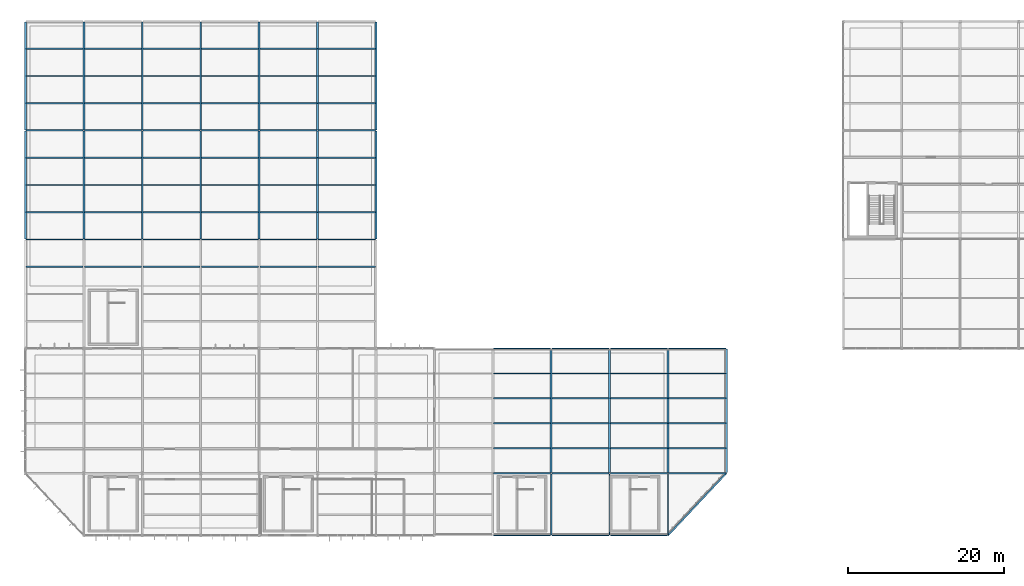
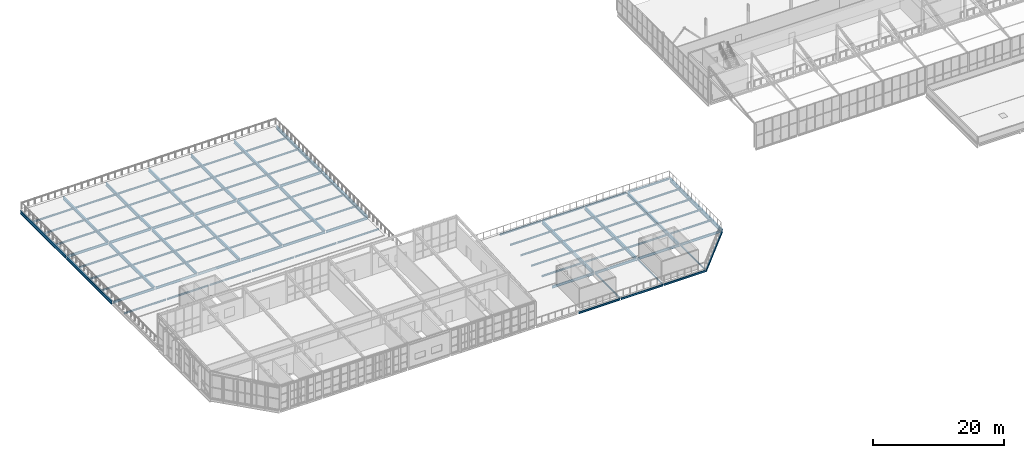
# One storey, part 30 of 104: 103 beams.
"""IFC4 building model written with IfcOpenShell, lengths in metres."""

from ifc_helpers import new_model, si_unit, direction, frame, origin, origin_2d, place, context, subcontext, project, spatial, i_section, extrude, material, material_profile, profile_set, type_object, element, save


model = new_model("IFC4")

# Units and contexts
model_context = context("Model", 3, precision=1e-05, world=origin(), true_north=direction((0.0, 1.0)))
body_context = subcontext(model_context, "Body", "Model", "MODEL_VIEW")
ifc_project = project(units=[si_unit("LENGTHUNIT", "METRE"), si_unit("AREAUNIT", "SQUARE_METRE"), si_unit("VOLUMEUNIT", "CUBIC_METRE"), si_unit("PLANEANGLEUNIT", "RADIAN"), si_unit("MASSUNIT", "GRAM", prefix="KILO")], contexts=[model_context])

# Site, building, storey
site_placement = place(None, origin())
site = spatial("IfcSite", under=ifc_project, at=site_placement, CompositionType="ELEMENT")
building_placement = place(site_placement, origin())
building = spatial("IfcBuilding", under=site, at=building_placement, Name="Solvenia Promenade Tram Depot", CompositionType="ELEMENT")
storey_placement = place(building_placement, frame((0.0, 0.0, 9.0)))
storey = spatial("IfcBuildingStorey", under=building, at=storey_placement, Name="L02", CompositionType="ELEMENT", Elevation=9.0)

# Beams
ifc_material = material(Name="Structural steel ASTM A992 Gr. 50", Category="steel")
ifc_material_profile_1 = material_profile(ifc_material, i_section(OverallWidth=0.19091796875, OverallDepth=0.4599609375, WebThickness=0.010009765625, FlangeThickness=0.01611328125, FilletRadius=0.012939453125, at=origin_2d()), Name="W460x82", Category="steel")
ifc_profile_set_1 = profile_set([ifc_material_profile_1], Name="Structural steel ASTM A992 Gr. 50")
beam_type_1 = type_object("IfcBeamType", Name="Beam-W460x82", PredefinedType="BEAM", material=ifc_profile_set_1)
for number, where, z_axis, x_axis, name in (
    (1, (0.0849609375, 38.0, -0.489990234375), (1.0, 0.0, 0.0), (0.0, 1.0, 0.0), "Primary Girder BM-L02-0650"),
    (2, (7.5849609375, 38.0, -0.489990234375), (1.0, 0.0, 0.0), (0.0, 1.0, 0.0), "Primary Girder BM-L02-0651"),
    (3, (15.0849609375, 38.0, -0.489990234375), (1.0, 0.0, 0.0), (0.0, 1.0, 0.0), "Primary Girder BM-L02-0652"),
    (4, (22.5849609375, 38.0, -0.489990234375), (1.0, 0.0, 0.0), (0.0, 1.0, 0.0), "Primary Girder BM-L02-0653"),
    (5, (30.0849609375, 38.0, -0.489990234375), (1.0, 0.0, 0.0), (0.0, 1.0, 0.0), "Primary Girder BM-L02-0654"),
    (6, (37.5849609375, 38.0, -0.489990234375), (1.0, 0.0, 0.0), (0.0, 1.0, 0.0), "Primary Girder BM-L02-0655"),
    (7, (0.0849609375, 52.0, -0.489990234375), (1.0, 0.0, 0.0), (0.0, 1.0, 0.0), "Primary Girder BM-L02-0656"),
    (8, (7.5849609375, 52.0, -0.489990234375), (1.0, 0.0, 0.0), (0.0, 1.0, 0.0), "Primary Girder BM-L02-0657"),
    (9, (15.0849609375, 52.0, -0.489990234375), (1.0, 0.0, 0.0), (0.0, 1.0, 0.0), "Primary Girder BM-L02-0658"),
    (10, (22.5849609375, 52.0, -0.489990234375), (1.0, 0.0, 0.0), (0.0, 1.0, 0.0), "Primary Girder BM-L02-0659"),
    (11, (30.0849609375, 52.0, -0.489990234375), (1.0, 0.0, 0.0), (0.0, 1.0, 0.0), "Primary Girder BM-L02-0660"),
    (12, (37.5849609375, 52.0, -0.489990234375), (1.0, 0.0, 0.0), (0.0, 1.0, 0.0), "Primary Girder BM-L02-0661"),
    (13, (60.0849609375, 8.0, -0.469970703125), (1.0, 0.0, 0.0), (0.0, 1.0, 0.0), "Primary Girder BM-L02-0746"),
    (14, (67.5849609375, 8.0, -0.469970703125), (1.0, 0.0, 0.0), (0.0, 1.0, 0.0), "Primary Girder BM-L02-0747"),
    (15, (75.0849609375, 8.0, -0.469970703125), (1.0, 0.0, 0.0), (0.0, 1.0, 0.0), "Primary Girder BM-L02-0748"),
    (16, (82.5849609375, 8.0, -0.469970703125), (1.0, 0.0, 0.0), (0.0, 1.0, 0.0), "Primary Girder BM-L02-0749"),
):
    element("IfcBeam", number, at=place(storey_placement, frame(where, z_axis=z_axis, x_axis=x_axis)), inside=storey, type_object=beam_type_1, Name=name, PredefinedType="BEAM", context=body_context, shape_type="SweptSolid", body=[
        extrude(i_section(OverallWidth=0.19091796875, OverallDepth=0.4599609375, WebThickness=0.010009765625, FlangeThickness=0.01611328125, FilletRadius=0.012939453125, at=origin_2d()), origin(), (0.0, 0.0, 1.0), 7.330078125),
    ])
ifc_material_profile_2 = material_profile(ifc_material, i_section(OverallWidth=0.22900390625, OverallDepth=0.612060546875, WebThickness=0.011962890625, FlangeThickness=0.01953125, FilletRadius=0.014892578125, at=origin_2d()), Name="W610x125", Category="steel")
ifc_profile_set_2 = profile_set([ifc_material_profile_2], Name="Structural steel ASTM A992 Gr. 50")
beam_type_2 = type_object("IfcBeamType", Name="Gird-W610x125", PredefinedType="BEAM", material=ifc_profile_set_2)
for number, where, z_axis, x_axis, name in (
    (17, (0.0, 38.0849609375, -0.56591796875), (0.0, 1.0, 0.0), (-1.0, 0.0, 0.0), "Transverse Girder BM-L02-0669"),
    (18, (0.0, 52.0849609375, -0.56591796875), (0.0, 1.0, 0.0), (-1.0, 0.0, 0.0), "Transverse Girder BM-L02-0670"),
    (19, (7.5, 38.0849609375, -0.56591796875), (0.0, 1.0, 0.0), (-1.0, 0.0, 0.0), "Transverse Girder BM-L02-0672"),
    (20, (7.5, 52.0849609375, -0.56591796875), (0.0, 1.0, 0.0), (-1.0, 0.0, 0.0), "Transverse Girder BM-L02-0673"),
    (21, (15.0, 38.0849609375, -0.56591796875), (0.0, 1.0, 0.0), (-1.0, 0.0, 0.0), "Transverse Girder BM-L02-0675"),
    (22, (15.0, 52.0849609375, -0.56591796875), (0.0, 1.0, 0.0), (-1.0, 0.0, 0.0), "Transverse Girder BM-L02-0676"),
    (23, (22.5, 38.0849609375, -0.56591796875), (0.0, 1.0, 0.0), (-1.0, 0.0, 0.0), "Transverse Girder BM-L02-0678"),
    (24, (22.5, 52.0849609375, -0.56591796875), (0.0, 1.0, 0.0), (-1.0, 0.0, 0.0), "Transverse Girder BM-L02-0679"),
    (25, (30.0, 38.0849609375, -0.56591796875), (0.0, 1.0, 0.0), (-1.0, 0.0, 0.0), "Transverse Girder BM-L02-0681"),
    (26, (30.0, 52.0849609375, -0.56591796875), (0.0, 1.0, 0.0), (-1.0, 0.0, 0.0), "Transverse Girder BM-L02-0682"),
    (27, (37.5, 38.0849609375, -0.56591796875), (0.0, 1.0, 0.0), (-1.0, 0.0, 0.0), "Transverse Girder BM-L02-0684"),
    (28, (37.5, 52.0849609375, -0.56591796875), (0.0, 1.0, 0.0), (-1.0, 0.0, 0.0), "Transverse Girder BM-L02-0685"),
    (29, (45.0, 38.0849609375, -0.56591796875), (0.0, 1.0, 0.0), (-1.0, 0.0, 0.0), "Transverse Girder BM-L02-0687"),
    (30, (45.0, 52.0849609375, -0.56591796875), (0.0, 1.0, 0.0), (-1.0, 0.0, 0.0), "Transverse Girder BM-L02-0688"),
):
    element("IfcBeam", number, at=place(storey_placement, frame(where, z_axis=z_axis, x_axis=x_axis)), inside=storey, type_object=beam_type_2, Name=name, PredefinedType="BEAM", context=body_context, shape_type="SweptSolid", body=[
        extrude(i_section(OverallWidth=0.22900390625, OverallDepth=0.612060546875, WebThickness=0.011962890625, FlangeThickness=0.01953125, FilletRadius=0.014892578125, at=origin_2d()), origin(), (0.0, 0.0, 1.0), 13.830078125),
    ])
ifc_material_profile_3 = material_profile(ifc_material, i_section(OverallWidth=0.25390625, OverallDepth=0.68408203125, WebThickness=0.012451171875, FlangeThickness=0.018798828125, FilletRadius=0.01611328125, at=origin_2d()), Name="W690x140", Category="steel")
ifc_profile_set_3 = profile_set([ifc_material_profile_3], Name="Structural steel ASTM A992 Gr. 50")
beam_type_3 = type_object("IfcBeamType", Name="Gird-W690x140", PredefinedType="BEAM", material=ifc_profile_set_3)
for number, where, z_axis, x_axis, name in (
    (31, (67.5, 8.0849609375, -0.58203125), (0.0, 1.0, 0.0), (-1.0, 0.0, 0.0), "Transverse Girder BM-L02-0758"),
    (32, (75.0, 8.0849609375, -0.58203125), (0.0, 1.0, 0.0), (-1.0, 0.0, 0.0), "Transverse Girder BM-L02-0760"),
    (33, (82.5, 8.0849609375, -0.58203125), (0.0, 1.0, 0.0), (-1.0, 0.0, 0.0), "Transverse Girder BM-L02-0762"),
    (34, (90.0, 8.0849609375, -0.58203125), (0.0, 1.0, 0.0), (-1.0, 0.0, 0.0), "Transverse Girder BM-L02-0763"),
):
    element("IfcBeam", number, at=place(storey_placement, frame(where, z_axis=z_axis, x_axis=x_axis)), inside=storey, type_object=beam_type_3, Name=name, PredefinedType="BEAM", context=body_context, shape_type="SweptSolid", body=[
        extrude(i_section(OverallWidth=0.25390625, OverallDepth=0.68408203125, WebThickness=0.012451171875, FlangeThickness=0.018798828125, FilletRadius=0.01611328125, at=origin_2d()), origin(), (0.0, 0.0, 1.0), 15.830078125),
    ])
ifc_material_profile_4 = material_profile(ifc_material, i_section(OverallWidth=0.14697265625, OverallDepth=0.261962890625, WebThickness=0.006591796875, FlangeThickness=0.01123046875, FilletRadius=0.010009765625, at=origin_2d()), Name="W250x39", Category="steel")
ifc_profile_set_4 = profile_set([ifc_material_profile_4], Name="Structural steel ASTM A992 Gr. 50")
beam_type_4 = type_object("IfcBeamType", Name="Joist-W250x39", PredefinedType="JOIST", material=ifc_profile_set_4)
for number, where, z_axis, x_axis, name in (
    (35, (67.5, 0.0849609375, -0.37109375), (0.0, 1.0, 0.0), (-1.0, 0.0, 0.0), "Transverse Girder BM-L02-0757"),
    (36, (75.0, 0.0849609375, -0.37109375), (0.0, 1.0, 0.0), (-1.0, 0.0, 0.0), "Transverse Girder BM-L02-0759"),
    (37, (82.5, 0.0849609375, -0.37109375), (0.0, 1.0, 0.0), (-1.0, 0.0, 0.0), "Transverse Girder BM-L02-0761"),
):
    element("IfcBeam", number, at=place(storey_placement, frame(where, z_axis=z_axis, x_axis=x_axis)), inside=storey, type_object=beam_type_4, Name=name, PredefinedType="JOIST", context=body_context, shape_type="SweptSolid", body=[
        extrude(i_section(OverallWidth=0.14697265625, OverallDepth=0.261962890625, WebThickness=0.006591796875, FlangeThickness=0.01123046875, FilletRadius=0.010009765625, at=origin_2d()), origin(), (0.0, 0.0, 1.0), 7.830078125),
    ])
ifc_material_profile_5 = material_profile(ifc_material, i_section(OverallWidth=0.166015625, OverallDepth=0.31298828125, WebThickness=0.006591796875, FlangeThickness=0.01123046875, FilletRadius=0.010009765625, at=origin_2d()), Name="W310x45", Category="steel")
ifc_profile_set_5 = profile_set([ifc_material_profile_5], Name="Structural steel ASTM A992 Gr. 50")
beam_type_5 = type_object("IfcBeamType", Name="Joist-W310x45", PredefinedType="JOIST", material=ifc_profile_set_5)
for number, where, z_axis, x_axis, name in (
    (38, (0.0849609375, 34.5, -0.41650390625), (1.0, 0.0, 0.0), (0.0, 1.0, 0.0), "Secondary Floor Joist BM-L02-0691"),
    (39, (0.0849609375, 41.5, -0.41650390625), (1.0, 0.0, 0.0), (0.0, 1.0, 0.0), "Secondary Floor Joist BM-L02-0692"),
    (40, (0.0849609375, 45.0, -0.41650390625), (1.0, 0.0, 0.0), (0.0, 1.0, 0.0), "Secondary Floor Joist BM-L02-0693"),
    (41, (0.0849609375, 48.5, -0.41650390625), (1.0, 0.0, 0.0), (0.0, 1.0, 0.0), "Secondary Floor Joist BM-L02-0694"),
    (42, (0.0849609375, 55.5, -0.41650390625), (1.0, 0.0, 0.0), (0.0, 1.0, 0.0), "Secondary Floor Joist BM-L02-0695"),
    (43, (0.0849609375, 59.0, -0.41650390625), (1.0, 0.0, 0.0), (0.0, 1.0, 0.0), "Secondary Floor Joist BM-L02-0696"),
    (44, (0.0849609375, 62.5, -0.41650390625), (1.0, 0.0, 0.0), (0.0, 1.0, 0.0), "Secondary Floor Joist BM-L02-0697"),
    (45, (7.5849609375, 34.5, -0.41650390625), (1.0, 0.0, 0.0), (0.0, 1.0, 0.0), "Secondary Floor Joist BM-L02-0698"),
    (46, (7.5849609375, 41.5, -0.41650390625), (1.0, 0.0, 0.0), (0.0, 1.0, 0.0), "Secondary Floor Joist BM-L02-0699"),
    (47, (7.5849609375, 45.0, -0.41650390625), (1.0, 0.0, 0.0), (0.0, 1.0, 0.0), "Secondary Floor Joist BM-L02-0700"),
    (48, (7.5849609375, 48.5, -0.41650390625), (1.0, 0.0, 0.0), (0.0, 1.0, 0.0), "Secondary Floor Joist BM-L02-0701"),
    (49, (7.5849609375, 55.5, -0.41650390625), (1.0, 0.0, 0.0), (0.0, 1.0, 0.0), "Secondary Floor Joist BM-L02-0702"),
    (50, (7.5849609375, 59.0, -0.41650390625), (1.0, 0.0, 0.0), (0.0, 1.0, 0.0), "Secondary Floor Joist BM-L02-0703"),
    (51, (7.5849609375, 62.5, -0.41650390625), (1.0, 0.0, 0.0), (0.0, 1.0, 0.0), "Secondary Floor Joist BM-L02-0704"),
    (52, (15.0849609375, 34.5, -0.41650390625), (1.0, 0.0, 0.0), (0.0, 1.0, 0.0), "Secondary Floor Joist BM-L02-0707"),
    (53, (15.0849609375, 41.5, -0.41650390625), (1.0, 0.0, 0.0), (0.0, 1.0, 0.0), "Secondary Floor Joist BM-L02-0708"),
    (54, (15.0849609375, 45.0, -0.41650390625), (1.0, 0.0, 0.0), (0.0, 1.0, 0.0), "Secondary Floor Joist BM-L02-0709"),
    (55, (15.0849609375, 48.5, -0.41650390625), (1.0, 0.0, 0.0), (0.0, 1.0, 0.0), "Secondary Floor Joist BM-L02-0710"),
    (56, (15.0849609375, 55.5, -0.41650390625), (1.0, 0.0, 0.0), (0.0, 1.0, 0.0), "Secondary Floor Joist BM-L02-0711"),
    (57, (15.0849609375, 59.0, -0.41650390625), (1.0, 0.0, 0.0), (0.0, 1.0, 0.0), "Secondary Floor Joist BM-L02-0712"),
    (58, (15.0849609375, 62.5, -0.41650390625), (1.0, 0.0, 0.0), (0.0, 1.0, 0.0), "Secondary Floor Joist BM-L02-0713"),
    (59, (22.5849609375, 34.5, -0.41650390625), (1.0, 0.0, 0.0), (0.0, 1.0, 0.0), "Secondary Floor Joist BM-L02-0716"),
    (60, (22.5849609375, 41.5, -0.41650390625), (1.0, 0.0, 0.0), (0.0, 1.0, 0.0), "Secondary Floor Joist BM-L02-0717"),
    (61, (22.5849609375, 45.0, -0.41650390625), (1.0, 0.0, 0.0), (0.0, 1.0, 0.0), "Secondary Floor Joist BM-L02-0718"),
    (62, (22.5849609375, 48.5, -0.41650390625), (1.0, 0.0, 0.0), (0.0, 1.0, 0.0), "Secondary Floor Joist BM-L02-0719"),
    (63, (22.5849609375, 55.5, -0.41650390625), (1.0, 0.0, 0.0), (0.0, 1.0, 0.0), "Secondary Floor Joist BM-L02-0720"),
    (64, (22.5849609375, 59.0, -0.41650390625), (1.0, 0.0, 0.0), (0.0, 1.0, 0.0), "Secondary Floor Joist BM-L02-0721"),
    (65, (22.5849609375, 62.5, -0.41650390625), (1.0, 0.0, 0.0), (0.0, 1.0, 0.0), "Secondary Floor Joist BM-L02-0722"),
    (66, (30.0849609375, 34.5, -0.41650390625), (1.0, 0.0, 0.0), (0.0, 1.0, 0.0), "Secondary Floor Joist BM-L02-0725"),
    (67, (30.0849609375, 41.5, -0.41650390625), (1.0, 0.0, 0.0), (0.0, 1.0, 0.0), "Secondary Floor Joist BM-L02-0726"),
    (68, (30.0849609375, 45.0, -0.41650390625), (1.0, 0.0, 0.0), (0.0, 1.0, 0.0), "Secondary Floor Joist BM-L02-0727"),
    (69, (30.0849609375, 48.5, -0.41650390625), (1.0, 0.0, 0.0), (0.0, 1.0, 0.0), "Secondary Floor Joist BM-L02-0728"),
    (70, (30.0849609375, 55.5, -0.41650390625), (1.0, 0.0, 0.0), (0.0, 1.0, 0.0), "Secondary Floor Joist BM-L02-0729"),
    (71, (30.0849609375, 59.0, -0.41650390625), (1.0, 0.0, 0.0), (0.0, 1.0, 0.0), "Secondary Floor Joist BM-L02-0730"),
    (72, (30.0849609375, 62.5, -0.41650390625), (1.0, 0.0, 0.0), (0.0, 1.0, 0.0), "Secondary Floor Joist BM-L02-0731"),
    (73, (37.5849609375, 34.5, -0.41650390625), (1.0, 0.0, 0.0), (0.0, 1.0, 0.0), "Secondary Floor Joist BM-L02-0734"),
    (74, (37.5849609375, 41.5, -0.41650390625), (1.0, 0.0, 0.0), (0.0, 1.0, 0.0), "Secondary Floor Joist BM-L02-0735"),
    (75, (37.5849609375, 45.0, -0.41650390625), (1.0, 0.0, 0.0), (0.0, 1.0, 0.0), "Secondary Floor Joist BM-L02-0736"),
    (76, (37.5849609375, 48.5, -0.41650390625), (1.0, 0.0, 0.0), (0.0, 1.0, 0.0), "Secondary Floor Joist BM-L02-0737"),
    (77, (37.5849609375, 55.5, -0.41650390625), (1.0, 0.0, 0.0), (0.0, 1.0, 0.0), "Secondary Floor Joist BM-L02-0738"),
    (78, (37.5849609375, 59.0, -0.41650390625), (1.0, 0.0, 0.0), (0.0, 1.0, 0.0), "Secondary Floor Joist BM-L02-0739"),
    (79, (37.5849609375, 62.5, -0.41650390625), (1.0, 0.0, 0.0), (0.0, 1.0, 0.0), "Secondary Floor Joist BM-L02-0740"),
    (80, (60.0849609375, 11.199951171875, -0.396484375), (1.0, 0.0, 0.0), (0.0, 1.0, 0.0), "Secondary Floor Joist BM-L02-0771"),
    (81, (60.0849609375, 14.39990234375, -0.396484375), (1.0, 0.0, 0.0), (0.0, 1.0, 0.0), "Secondary Floor Joist BM-L02-0772"),
    (82, (60.0849609375, 17.60009765625, -0.396484375), (1.0, 0.0, 0.0), (0.0, 1.0, 0.0), "Secondary Floor Joist BM-L02-0773"),
    (83, (60.0849609375, 20.800048828125, -0.396484375), (1.0, 0.0, 0.0), (0.0, 1.0, 0.0), "Secondary Floor Joist BM-L02-0774"),
    (84, (67.5849609375, 11.199951171875, -0.396484375), (1.0, 0.0, 0.0), (0.0, 1.0, 0.0), "Secondary Floor Joist BM-L02-0775"),
    (85, (67.5849609375, 14.39990234375, -0.396484375), (1.0, 0.0, 0.0), (0.0, 1.0, 0.0), "Secondary Floor Joist BM-L02-0776"),
    (86, (67.5849609375, 17.60009765625, -0.396484375), (1.0, 0.0, 0.0), (0.0, 1.0, 0.0), "Secondary Floor Joist BM-L02-0777"),
    (87, (67.5849609375, 20.800048828125, -0.396484375), (1.0, 0.0, 0.0), (0.0, 1.0, 0.0), "Secondary Floor Joist BM-L02-0778"),
    (88, (75.0849609375, 11.199951171875, -0.396484375), (1.0, 0.0, 0.0), (0.0, 1.0, 0.0), "Secondary Floor Joist BM-L02-0779"),
    (89, (75.0849609375, 14.39990234375, -0.396484375), (1.0, 0.0, 0.0), (0.0, 1.0, 0.0), "Secondary Floor Joist BM-L02-0780"),
    (90, (75.0849609375, 17.60009765625, -0.396484375), (1.0, 0.0, 0.0), (0.0, 1.0, 0.0), "Secondary Floor Joist BM-L02-0781"),
    (91, (75.0849609375, 20.800048828125, -0.396484375), (1.0, 0.0, 0.0), (0.0, 1.0, 0.0), "Secondary Floor Joist BM-L02-0782"),
    (92, (82.5849609375, 11.199951171875, -0.396484375), (1.0, 0.0, 0.0), (0.0, 1.0, 0.0), "Secondary Floor Joist BM-L02-0783"),
    (93, (82.5849609375, 14.39990234375, -0.396484375), (1.0, 0.0, 0.0), (0.0, 1.0, 0.0), "Secondary Floor Joist BM-L02-0784"),
    (94, (82.5849609375, 17.60009765625, -0.396484375), (1.0, 0.0, 0.0), (0.0, 1.0, 0.0), "Secondary Floor Joist BM-L02-0785"),
    (95, (82.5849609375, 20.800048828125, -0.396484375), (1.0, 0.0, 0.0), (0.0, 1.0, 0.0), "Secondary Floor Joist BM-L02-0786"),
):
    element("IfcBeam", number, at=place(storey_placement, frame(where, z_axis=z_axis, x_axis=x_axis)), inside=storey, type_object=beam_type_5, Name=name, PredefinedType="JOIST", context=body_context, shape_type="SweptSolid", body=[
        extrude(i_section(OverallWidth=0.166015625, OverallDepth=0.31298828125, WebThickness=0.006591796875, FlangeThickness=0.01123046875, FilletRadius=0.010009765625, at=origin_2d()), origin(), (0.0, 0.0, 1.0), 7.330078125),
    ])
ifc_material_profile_6 = material_profile(ifc_material, i_section(OverallWidth=0.172119140625, OverallDepth=0.35791015625, WebThickness=0.0078125, FlangeThickness=0.01318359375, FilletRadius=0.010986328125, at=origin_2d()), Name="W360x57", Category="steel")
ifc_profile_set_6 = profile_set([ifc_material_profile_6], Name="Structural steel ASTM A992 Gr. 50")
beam_type_6 = type_object("IfcBeamType", Name="Spandrel-W360x57", PredefinedType="SPANDREL", material=ifc_profile_set_6)
for number, where, z_axis, x_axis, name in (
    (96, (60.0849609375, 0.0, -0.4189453125), (1.0, 0.0, 0.0), (0.0, 1.0, 0.0), "Perimeter Spandrel BM-L02-0742"),
    (97, (67.5849609375, 0.0, -0.4189453125), (1.0, 0.0, 0.0), (0.0, 1.0, 0.0), "Perimeter Spandrel BM-L02-0743"),
    (98, (75.0849609375, 0.0, -0.4189453125), (1.0, 0.0, 0.0), (0.0, 1.0, 0.0), "Perimeter Spandrel BM-L02-0744"),
    (99, (60.0849609375, 24.0, -0.4189453125), (1.0, 0.0, 0.0), (0.0, 1.0, 0.0), "Perimeter Spandrel BM-L02-0751"),
    (100, (67.5849609375, 24.0, -0.4189453125), (1.0, 0.0, 0.0), (0.0, 1.0, 0.0), "Perimeter Spandrel BM-L02-0752"),
    (101, (75.0849609375, 24.0, -0.4189453125), (1.0, 0.0, 0.0), (0.0, 1.0, 0.0), "Perimeter Spandrel BM-L02-0753"),
    (102, (82.5849609375, 24.0, -0.4189453125), (1.0, 0.0, 0.0), (0.0, 1.0, 0.0), "Perimeter Spandrel BM-L02-0754"),
):
    element("IfcBeam", number, at=place(storey_placement, frame(where, z_axis=z_axis, x_axis=x_axis)), inside=storey, type_object=beam_type_6, Name=name, PredefinedType="SPANDREL", context=body_context, shape_type="SweptSolid", body=[
        extrude(i_section(OverallWidth=0.172119140625, OverallDepth=0.35791015625, WebThickness=0.0078125, FlangeThickness=0.01318359375, FilletRadius=0.010986328125, at=origin_2d()), origin(), (0.0, 0.0, 1.0), 7.330078125),
    ])
ifc_material_profile_7 = material_profile(ifc_material, i_section(OverallWidth=0.19091796875, OverallDepth=0.4599609375, WebThickness=0.010009765625, FlangeThickness=0.01611328125, FilletRadius=0.012939453125, at=origin_2d()), Name="W460x82", Category="steel")
ifc_profile_set_7 = profile_set([ifc_material_profile_7], Name="Structural steel ASTM A992 Gr. 50")
beam_type_7 = type_object("IfcBeamType", Name="Spandrel-W460x82", PredefinedType="SPANDREL", material=ifc_profile_set_7)
beam_placement = place(storey_placement, frame((82.5, 0.0, -0.469970703125), z_axis=(0.683941128881, 0.72953720414, 0.0), x_axis=(-0.72953720414, 0.683941128881, 0.0)))
element("IfcBeam", 103, at=beam_placement, inside=storey, type_object=beam_type_7, Name="East Forecourt Chamfer Spandrel BM-L02-0764", PredefinedType="SPANDREL", context=body_context, shape_type="SweptSolid", body=[
    extrude(i_section(OverallWidth=0.19091796875, OverallDepth=0.4599609375, WebThickness=0.010009765625, FlangeThickness=0.01611328125, FilletRadius=0.012939453125, at=origin_2d()), origin(), (0.0, 0.0, 1.0), 10.9658203125),
])

save(model, "model.ifc")
